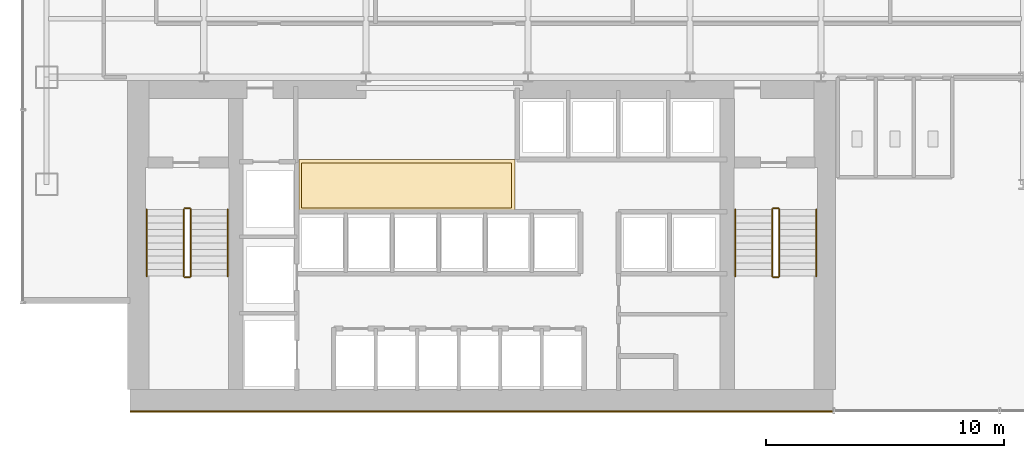
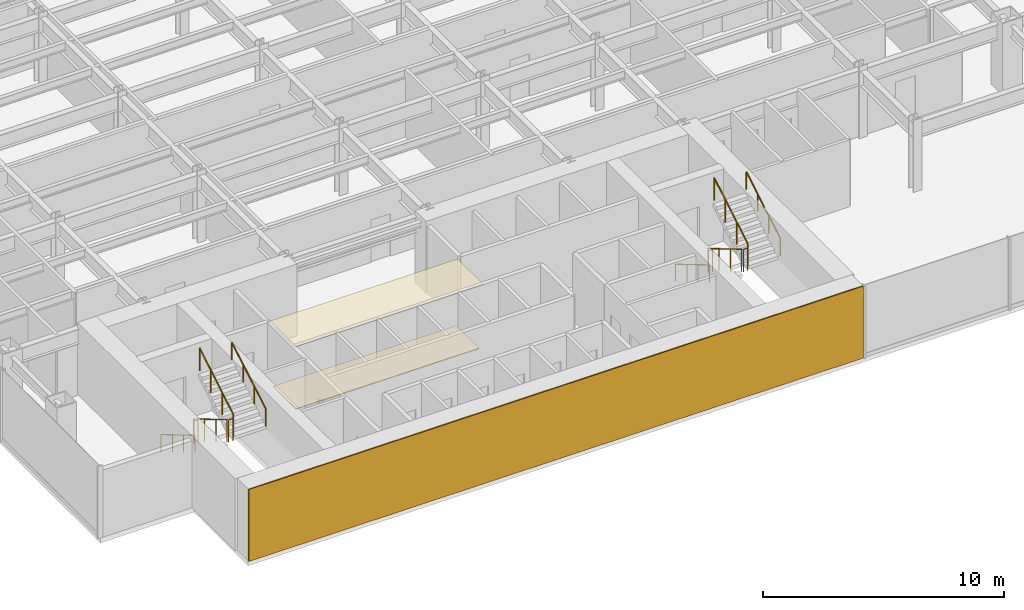
# One storey, part 20 of 22: 12 railings, 3 coverings.
"""IFC4 building model written with IfcOpenShell, lengths in metres."""

from ifc_helpers import new_model, si_unit, derived_unit, direction, frame, origin, origin_2d, place, context, subcontext, project, spatial, polyline, rectangle, circle, outline, extrude, source, transform, mapped, material, layer, layer_set, type_object, element, save


model = new_model("IFC4")

# Units and contexts
model_context = context("Model", 3, precision=1e-05, world=origin(), true_north=direction((0.0, 1.0)))
body_context = subcontext(model_context, "Body", "Model", "MODEL_VIEW")
ifc_project = project(units=[si_unit("LENGTHUNIT", "METRE"), si_unit("AREAUNIT", "SQUARE_METRE"), si_unit("VOLUMEUNIT", "CUBIC_METRE"), si_unit("PLANEANGLEUNIT", "RADIAN"), si_unit("MASSUNIT", "GRAM", prefix="KILO"), derived_unit("THERMALTRANSMITTANCEUNIT", [(si_unit("POWERUNIT", "WATT"), 1), (si_unit("LENGTHUNIT", "METRE"), -2), (si_unit("THERMODYNAMICTEMPERATUREUNIT", "KELVIN"), -1)])], contexts=[model_context])

# Site, building, storey
site_placement = place(None, origin())
site = spatial("IfcSite", under=ifc_project, at=site_placement, CompositionType="ELEMENT")
building_placement = place(site_placement, origin())
building = spatial("IfcBuilding", under=site, at=building_placement, Name="Skarnbrae Concourse Arena and Tower", CompositionType="ELEMENT")
storey_placement = place(building_placement, frame((0.0, 0.0, 69.0)))
storey = spatial("IfcBuildingStorey", under=building, at=storey_placement, Name="L16", CompositionType="ELEMENT", Elevation=69.0)

# Coverings
ifc_material_1 = material(Name="Mineral fibre acoustic ceiling tile", Category="other")
ifc_layer_1 = layer(ifc_material_1, 0.0400390625)
ifc_layer_set_1 = layer_set([ifc_layer_1], Name="Mineral fibre acoustic ceiling tile")
covering_type_1 = type_object("IfcCoveringType", Name="COV-CEIL-ACOUSTIC", PredefinedType="CEILING", material=ifc_layer_set_1)
covering_1_placement = place(storey_placement, frame((0.0, 0.0, 3.239990234375)))
element("IfcCovering", 1, at=covering_1_placement, inside=storey, type_object=covering_type_1, Name="L16 Lift lobby acoustic ceiling", PredefinedType="CEILING", context=body_context, shape_type="SweptSolid", body=[
    extrude(outline(polyline([(11.60009765625, 8.39990234375), (20.64990234375, 8.39990234375), (20.64990234375, 10.550048828125), (11.60009765625, 10.550048828125), (11.60009765625, 8.39990234375)])), origin(), (0.0, 0.0, 1.0), 0.0400390625),
])
ifc_material_2 = material(Name="Polished granite terrazzo flooring", Category="masonry")
ifc_layer_2 = layer(ifc_material_2, 0.0400390625)
ifc_layer_set_2 = layer_set([ifc_layer_2], Name="Polished granite terrazzo flooring")
covering_type_2 = type_object("IfcCoveringType", Name="COV-FLOOR-TERRAZZO", PredefinedType="FLOORING", material=ifc_layer_set_2)
covering_2_placement = place(storey_placement, origin())
element("IfcCovering", 2, at=covering_2_placement, inside=storey, type_object=covering_type_2, Name="L16 Lift lobby terrazzo flooring", PredefinedType="FLOORING", context=body_context, shape_type="SweptSolid", body=[
    extrude(outline(polyline([(11.699951171875, 8.5), (20.5, 8.5), (20.5, 10.39990234375), (11.699951171875, 10.39990234375), (11.699951171875, 8.5)])), origin(), (0.0, 0.0, 1.0), 0.0400390625),
])

# Railings
ifc_material_3 = material(Name="Steel CSA G40.21 350W", Category="steel")
railing_type_1 = type_object("IfcRailingType", Name="RAIL-HANDRAIL-900", PredefinedType="HANDRAIL", material=ifc_material_3)
railing_1_placement = place(storey_placement, frame((5.199951171875, 8.449951171875, 0.166015625)))
element("IfcRailing", 3, at=railing_1_placement, inside=storey, type_object=railing_type_1, Name="L16 ST-1 stair handrail 1", PredefinedType="HANDRAIL", context=body_context, shape_type="SweptSolid", body=[
    extrude(circle(Radius=0.02392578125, at=origin_2d()), frame((0.0, 0.0, 0.8759765625), z_axis=(0.0, -0.860339051648, 0.50972219513), x_axis=(1.0, 0.0, 0.0)), (0.0, 0.0, 1.0), 3.254638671875),
    extrude(circle(Radius=0.02099609375, at=origin_2d()), origin(), (0.0, 0.0, 1.0), 0.851806640625),
    extrude(circle(Radius=0.02099609375, at=origin_2d()), frame((0.0, -0.933349609375, 0.552978515625)), (0.0, 0.0, 1.0), 0.851806640625),
    extrude(circle(Radius=0.02099609375, at=origin_2d()), frame((0.0, -1.86669921875, 1.10595703125)), (0.0, 0.0, 1.0), 0.851806640625),
    extrude(circle(Radius=0.02099609375, at=origin_2d()), frame((0.0, -2.800048828125, 1.658935546875)), (0.0, 0.0, 1.0), 0.851806640625),
])
railing_2_placement = place(storey_placement, frame((8.60009765625, 5.64990234375, 1.990966796875)))
element("IfcRailing", 4, at=railing_2_placement, inside=storey, type_object=railing_type_1, Name="L16 ST-1 stair handrail 2", PredefinedType="HANDRAIL", context=body_context, shape_type="SweptSolid", body=[
    extrude(circle(Radius=0.02392578125, at=origin_2d()), frame((0.0, 0.0, 0.8759765625), z_axis=(0.0, 0.860339051648, 0.50972219513), x_axis=(-1.0, 0.0, 0.0)), (0.0, 0.0, 1.0), 3.254638671875),
    extrude(circle(Radius=0.02099609375, at=origin_2d()), origin(), (0.0, 0.0, 1.0), 0.851806640625),
    extrude(circle(Radius=0.02099609375, at=origin_2d()), frame((0.0, 0.933349609375, 0.552978515625)), (0.0, 0.0, 1.0), 0.851806640625),
    extrude(circle(Radius=0.02099609375, at=origin_2d()), frame((0.0, 1.86669921875, 1.10595703125)), (0.0, 0.0, 1.0), 0.851806640625),
    extrude(circle(Radius=0.02099609375, at=origin_2d()), frame((0.0, 2.800048828125, 1.658935546875)), (0.0, 0.0, 1.0), 0.851806640625),
])
railing_3_placement = place(storey_placement, frame((29.89990234375, 8.449951171875, 0.166015625)))
element("IfcRailing", 5, at=railing_3_placement, inside=storey, type_object=railing_type_1, Name="L16 ST-2 stair handrail 1", PredefinedType="HANDRAIL", context=body_context, shape_type="SweptSolid", body=[
    extrude(circle(Radius=0.02392578125, at=origin_2d()), frame((0.0, 0.0, 0.8759765625), z_axis=(0.0, -0.860339051648, 0.50972219513), x_axis=(1.0, 0.0, 0.0)), (0.0, 0.0, 1.0), 3.254638671875),
    extrude(circle(Radius=0.02099609375, at=origin_2d()), origin(), (0.0, 0.0, 1.0), 0.851806640625),
    extrude(circle(Radius=0.02099609375, at=origin_2d()), frame((0.0, -0.933349609375, 0.552978515625)), (0.0, 0.0, 1.0), 0.851806640625),
    extrude(circle(Radius=0.02099609375, at=origin_2d()), frame((0.0, -1.86669921875, 1.10595703125)), (0.0, 0.0, 1.0), 0.851806640625),
    extrude(circle(Radius=0.02099609375, at=origin_2d()), frame((0.0, -2.800048828125, 1.658935546875)), (0.0, 0.0, 1.0), 0.851806640625),
])
railing_4_placement = place(storey_placement, frame((33.300048828125, 5.64990234375, 1.990966796875)))
element("IfcRailing", 6, at=railing_4_placement, inside=storey, type_object=railing_type_1, Name="L16 ST-2 stair handrail 2", PredefinedType="HANDRAIL", context=body_context, shape_type="SweptSolid", body=[
    extrude(circle(Radius=0.02392578125, at=origin_2d()), frame((0.0, 0.0, 0.8759765625), z_axis=(0.0, 0.860339051648, 0.50972219513), x_axis=(-1.0, 0.0, 0.0)), (0.0, 0.0, 1.0), 3.254638671875),
    extrude(circle(Radius=0.02099609375, at=origin_2d()), origin(), (0.0, 0.0, 1.0), 0.851806640625),
    extrude(circle(Radius=0.02099609375, at=origin_2d()), frame((0.0, 0.933349609375, 0.552978515625)), (0.0, 0.0, 1.0), 0.851806640625),
    extrude(circle(Radius=0.02099609375, at=origin_2d()), frame((0.0, 1.86669921875, 1.10595703125)), (0.0, 0.0, 1.0), 0.851806640625),
    extrude(circle(Radius=0.02099609375, at=origin_2d()), frame((0.0, 2.800048828125, 1.658935546875)), (0.0, 0.0, 1.0), 0.851806640625),
])
railing_type_2 = type_object("IfcRailingType", Name="RAIL-STAIR-GUARD-1150", PredefinedType="GUARDRAIL", material=ifc_material_3)
railing_5_placement = place(storey_placement, frame((6.75, 8.449951171875, 0.166015625)))
element("IfcRailing", 7, at=railing_5_placement, inside=storey, type_object=railing_type_2, Name="L16 ST-1 stair guard 1", PredefinedType="GUARDRAIL", context=body_context, shape_type="SweptSolid", body=[
    extrude(circle(Radius=0.02392578125, at=origin_2d()), frame((0.0, 0.0, 1.1259765625), z_axis=(0.0, -0.860339051648, 0.50972219513), x_axis=(1.0, 0.0, 0.0)), (0.0, 0.0, 1.0), 3.254638671875),
    extrude(circle(Radius=0.02099609375, at=origin_2d()), origin(), (0.0, 0.0, 1.0), 1.101806640625),
    extrude(circle(Radius=0.02099609375, at=origin_2d()), frame((0.0, -0.933349609375, 0.552978515625)), (0.0, 0.0, 1.0), 1.101806640625),
    extrude(circle(Radius=0.02099609375, at=origin_2d()), frame((0.0, -1.86669921875, 1.10595703125)), (0.0, 0.0, 1.0), 1.101806640625),
    extrude(circle(Radius=0.02099609375, at=origin_2d()), frame((0.0, -2.800048828125, 1.658935546875)), (0.0, 0.0, 1.0), 1.101806640625),
])
railing_6_placement = place(storey_placement, frame((6.800048828125, 5.60009765625, 1.824951171875)))
element("IfcRailing", 8, at=railing_6_placement, inside=storey, type_object=railing_type_2, Name="L16 ST-1 stair guard 2", PredefinedType="GUARDRAIL", context=body_context, shape_type="SweptSolid", body=[
    extrude(circle(Radius=0.02392578125, at=origin_2d()), frame((0.0, 0.0, 1.1259765625), z_axis=(1.0, 0.0, 0.0), x_axis=(0.0, 1.0, 0.0)), (0.0, 0.0, 1.0), 0.199951171875),
    extrude(circle(Radius=0.02099609375, at=origin_2d()), origin(), (0.0, 0.0, 1.0), 1.101806640625),
    extrude(circle(Radius=0.02099609375, at=origin_2d()), frame((0.199951171875, 0.0, 0.0)), (0.0, 0.0, 1.0), 1.101806640625),
])
railing_7_placement = place(storey_placement, frame((7.050048828125, 5.64990234375, 1.990966796875)))
element("IfcRailing", 9, at=railing_7_placement, inside=storey, type_object=railing_type_2, Name="L16 ST-1 stair guard 3", PredefinedType="GUARDRAIL", context=body_context, shape_type="SweptSolid", body=[
    extrude(circle(Radius=0.02392578125, at=origin_2d()), frame((0.0, 0.0, 1.1259765625), z_axis=(0.0, 0.860339051648, 0.50972219513), x_axis=(-1.0, 0.0, 0.0)), (0.0, 0.0, 1.0), 3.254638671875),
    extrude(circle(Radius=0.02099609375, at=origin_2d()), origin(), (0.0, 0.0, 1.0), 1.101806640625),
    extrude(circle(Radius=0.02099609375, at=origin_2d()), frame((0.0, 0.933349609375, 0.552978515625)), (0.0, 0.0, 1.0), 1.101806640625),
    extrude(circle(Radius=0.02099609375, at=origin_2d()), frame((0.0, 1.86669921875, 1.10595703125)), (0.0, 0.0, 1.0), 1.101806640625),
    extrude(circle(Radius=0.02099609375, at=origin_2d()), frame((0.0, 2.800048828125, 1.658935546875)), (0.0, 0.0, 1.0), 1.101806640625),
])
railing_8_placement = place(storey_placement, frame((6.800048828125, 8.5, 0.0)))
element("IfcRailing", 10, at=railing_8_placement, inside=storey, type_object=railing_type_2, Name="L16 ST-1 stair guard 4", PredefinedType="GUARDRAIL", context=body_context, shape_type="SweptSolid", body=[
    extrude(circle(Radius=0.02392578125, at=origin_2d()), frame((0.0, 0.0, 1.1259765625), z_axis=(1.0, 0.0, 0.0), x_axis=(0.0, 1.0, 0.0)), (0.0, 0.0, 1.0), 0.199951171875),
    extrude(circle(Radius=0.02099609375, at=origin_2d()), origin(), (0.0, 0.0, 1.0), 1.101806640625),
    extrude(circle(Radius=0.02099609375, at=origin_2d()), frame((0.199951171875, 0.0, 0.0)), (0.0, 0.0, 1.0), 1.101806640625),
])
railing_9_placement = place(storey_placement, frame((31.449951171875, 8.449951171875, 0.166015625)))
element("IfcRailing", 11, at=railing_9_placement, inside=storey, type_object=railing_type_2, Name="L16 ST-2 stair guard 1", PredefinedType="GUARDRAIL", context=body_context, shape_type="SweptSolid", body=[
    extrude(circle(Radius=0.02392578125, at=origin_2d()), frame((0.0, 0.0, 1.1259765625), z_axis=(0.0, -0.860339051648, 0.50972219513), x_axis=(1.0, 0.0, 0.0)), (0.0, 0.0, 1.0), 3.254638671875),
    extrude(circle(Radius=0.02099609375, at=origin_2d()), origin(), (0.0, 0.0, 1.0), 1.101806640625),
    extrude(circle(Radius=0.02099609375, at=origin_2d()), frame((0.0, -0.933349609375, 0.552978515625)), (0.0, 0.0, 1.0), 1.101806640625),
    extrude(circle(Radius=0.02099609375, at=origin_2d()), frame((0.0, -1.86669921875, 1.10595703125)), (0.0, 0.0, 1.0), 1.101806640625),
    extrude(circle(Radius=0.02099609375, at=origin_2d()), frame((0.0, -2.800048828125, 1.658935546875)), (0.0, 0.0, 1.0), 1.101806640625),
])
railing_10_placement = place(storey_placement, frame((31.5, 5.60009765625, 1.824951171875)))
element("IfcRailing", 12, at=railing_10_placement, inside=storey, type_object=railing_type_2, Name="L16 ST-2 stair guard 2", PredefinedType="GUARDRAIL", context=body_context, shape_type="SweptSolid", body=[
    extrude(circle(Radius=0.02392578125, at=origin_2d()), frame((0.0, 0.0, 1.1259765625), z_axis=(1.0, 0.0, 0.0), x_axis=(0.0, 1.0, 0.0)), (0.0, 0.0, 1.0), 0.199951171875),
    extrude(circle(Radius=0.02099609375, at=origin_2d()), origin(), (0.0, 0.0, 1.0), 1.101806640625),
    extrude(circle(Radius=0.02099609375, at=origin_2d()), frame((0.199951171875, 0.0, 0.0)), (0.0, 0.0, 1.0), 1.101806640625),
])
railing_11_placement = place(storey_placement, frame((31.75, 5.64990234375, 1.990966796875)))
element("IfcRailing", 13, at=railing_11_placement, inside=storey, type_object=railing_type_2, Name="L16 ST-2 stair guard 3", PredefinedType="GUARDRAIL", context=body_context, shape_type="SweptSolid", body=[
    extrude(circle(Radius=0.02392578125, at=origin_2d()), frame((0.0, 0.0, 1.1259765625), z_axis=(0.0, 0.860339051648, 0.50972219513), x_axis=(-1.0, 0.0, 0.0)), (0.0, 0.0, 1.0), 3.254638671875),
    extrude(circle(Radius=0.02099609375, at=origin_2d()), origin(), (0.0, 0.0, 1.0), 1.101806640625),
    extrude(circle(Radius=0.02099609375, at=origin_2d()), frame((0.0, 0.933349609375, 0.552978515625)), (0.0, 0.0, 1.0), 1.101806640625),
    extrude(circle(Radius=0.02099609375, at=origin_2d()), frame((0.0, 1.86669921875, 1.10595703125)), (0.0, 0.0, 1.0), 1.101806640625),
    extrude(circle(Radius=0.02099609375, at=origin_2d()), frame((0.0, 2.800048828125, 1.658935546875)), (0.0, 0.0, 1.0), 1.101806640625),
])
railing_12_placement = place(storey_placement, frame((31.5, 8.5, 0.0)))
element("IfcRailing", 14, at=railing_12_placement, inside=storey, type_object=railing_type_2, Name="L16 ST-2 stair guard 4", PredefinedType="GUARDRAIL", context=body_context, shape_type="SweptSolid", body=[
    extrude(circle(Radius=0.02392578125, at=origin_2d()), frame((0.0, 0.0, 1.1259765625), z_axis=(1.0, 0.0, 0.0), x_axis=(0.0, 1.0, 0.0)), (0.0, 0.0, 1.0), 0.199951171875),
    extrude(circle(Radius=0.02099609375, at=origin_2d()), origin(), (0.0, 0.0, 1.0), 1.101806640625),
    extrude(circle(Radius=0.02099609375, at=origin_2d()), frame((0.199951171875, 0.0, 0.0)), (0.0, 0.0, 1.0), 1.101806640625),
])

# Covering
ifc_material_4 = material(Name="Bronze anodised aluminium 6063-T6", Category="aluminium")
ifc_layer_3 = layer(ifc_material_4, 0.06005859375)
ifc_layer_set_3 = layer_set([ifc_layer_3], Name="Bronze anodised aluminium 6063-T6")
covering_type_3 = type_object("IfcCoveringType", Name="COV-CLAD-BRONZE-60", PredefinedType="CLADDING", material=ifc_layer_set_3)
shared_shape = source(origin(), body_context, "Body", "SweptSolid", [
    extrude(rectangle(XDim=29.5, YDim=0.06005859375, at=origin_2d()), origin(), (0.0, 0.0, 1.0), 3.64990234375),
])
covering_3_placement = place(storey_placement, frame((19.25, -0.030029296875, 0.0), z_axis=(0.0, 0.0, 1.0), x_axis=(1.0, 0.0, 0.0)))
element("IfcCovering", 15, at=covering_3_placement, inside=storey, type_object=covering_type_3, Name="L16 Rear-core plumb spine bronze rainscreen panel", PredefinedType="CLADDING", context=body_context, shape_type="MappedRepresentation", body=[
    mapped(shared_shape, transform((0.0, 0.0, 0.0))),
])

save(model, "model.ifc")
